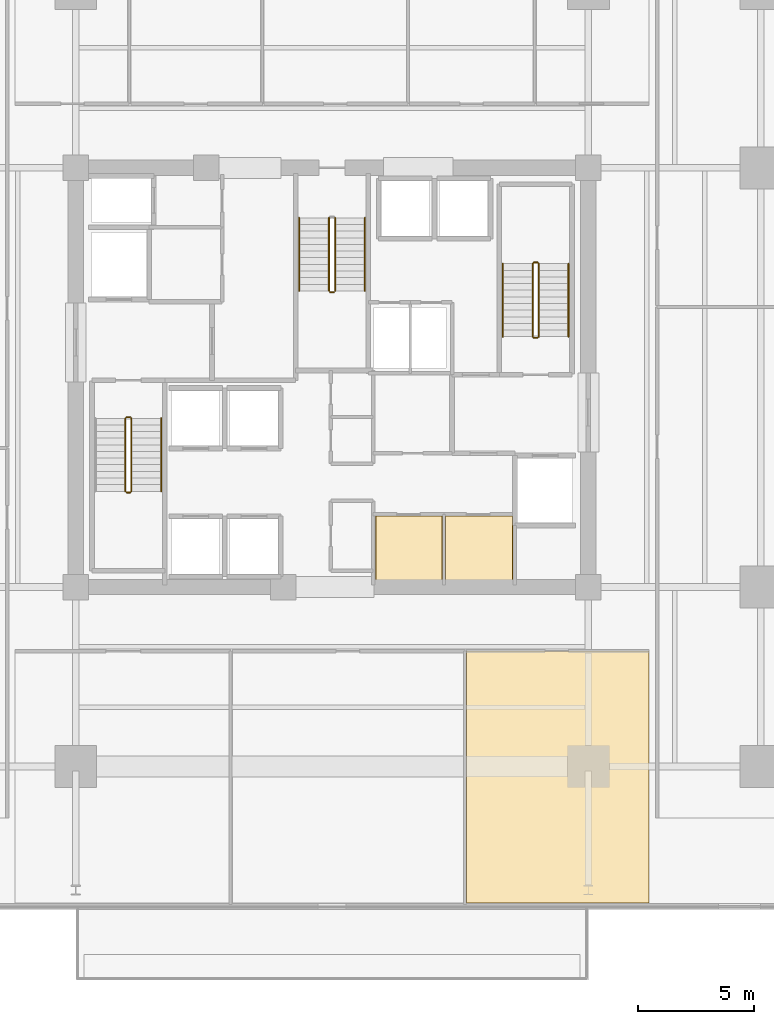
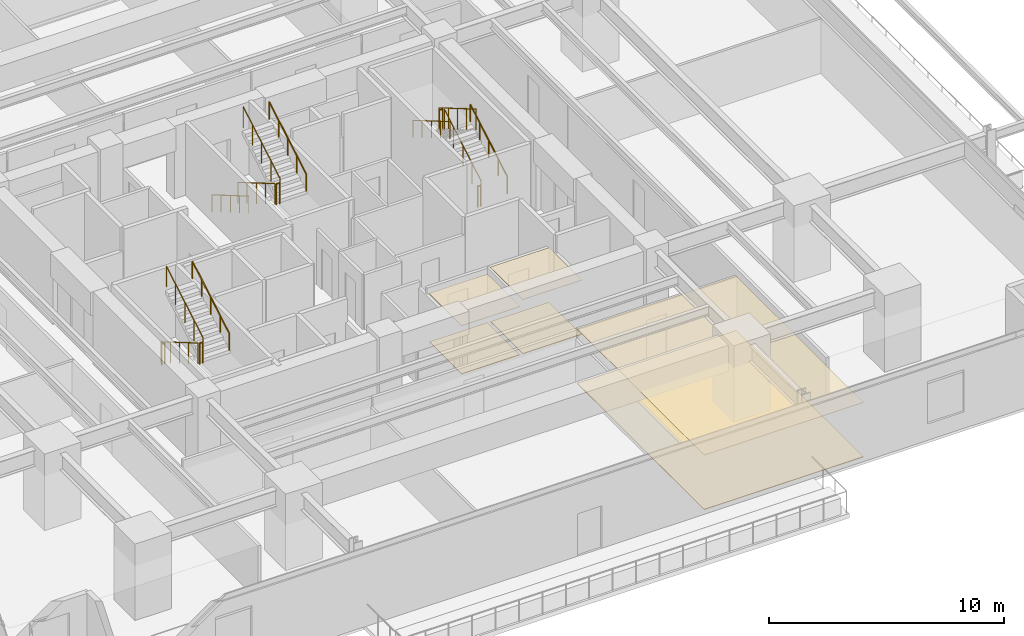
# One storey, part 21 of 24: 16 railings, 6 coverings.
"""IFC4 building model written with IfcOpenShell, lengths in metres."""

from ifc_helpers import new_model, si_unit, direction, frame, origin, origin_2d, place, context, subcontext, project, spatial, polyline, circle, outline, extrude, material, layer, layer_set, type_object, element, save


model = new_model("IFC4")

# Units and contexts
model_context = context("Model", 3, precision=1e-05, world=origin(), true_north=direction((0.0, 1.0)))
body_context = subcontext(model_context, "Body", "Model", "MODEL_VIEW")
ifc_project = project(units=[si_unit("LENGTHUNIT", "METRE"), si_unit("AREAUNIT", "SQUARE_METRE"), si_unit("VOLUMEUNIT", "CUBIC_METRE"), si_unit("PLANEANGLEUNIT", "RADIAN"), si_unit("MASSUNIT", "GRAM", prefix="KILO")], contexts=[model_context])

# Site, building, storey
site_placement = place(None, origin())
site = spatial("IfcSite", under=ifc_project, at=site_placement, CompositionType="ELEMENT")
building_placement = place(site_placement, origin())
building = spatial("IfcBuilding", under=site, at=building_placement, Name="Kovane Verandah Tower", CompositionType="ELEMENT")
storey_placement = place(building_placement, frame((0.0, 0.0, 95.60009765625)))
storey = spatial("IfcBuildingStorey", under=building, at=storey_placement, Name="L22", CompositionType="ELEMENT", Elevation=95.60009765625)

# Coverings
ifc_material_1 = material(Name="Perforated Acoustic Mineral-Fibre Ceiling Tile", Category="gypsum")
ifc_layer_1 = layer(ifc_material_1, 0.02490234375)
ifc_layer_set_1 = layer_set([ifc_layer_1], Name="Perforated Acoustic Mineral-Fibre Ceiling Tile")
covering_type_1 = type_object("IfcCoveringType", Name="CV-CEIL-25", PredefinedType="CEILING", material=ifc_layer_set_1)
covering_1_placement = place(storey_placement, frame((0.0, 0.0, 2.514892578125)))
element("IfcCovering", 1, at=covering_1_placement, inside=storey, type_object=covering_type_1, Name="L22 AV Control Room Acoustic Ceiling", PredefinedType="CEILING", context=body_context, shape_type="SweptSolid", body=[
    extrude(outline(polyline([(41.864990234375, 18.784912109375), (44.735107421875, 18.784912109375), (44.735107421875, 21.56494140625), (41.864990234375, 21.56494140625), (41.864990234375, 18.784912109375)])), origin(), (0.0, 0.0, 1.0), 0.02490234375),
])
covering_2_placement = place(storey_placement, frame((0.0, 0.0, 2.824951171875)))
element("IfcCovering", 2, at=covering_2_placement, inside=storey, type_object=covering_type_1, Name="L22 East IT Server Room Acoustic Ceiling", PredefinedType="CEILING", context=body_context, shape_type="SweptSolid", body=[
    extrude(outline(polyline([(44.864990234375, 18.784912109375), (47.764892578125, 18.784912109375), (47.764892578125, 21.56494140625), (44.864990234375, 21.56494140625), (44.864990234375, 18.784912109375)])), origin(), (0.0, 0.0, 1.0), 0.02490234375),
])
covering_3_placement = place(storey_placement, frame((0.0, 0.0, 2.824951171875)))
element("IfcCovering", 3, at=covering_3_placement, inside=storey, type_object=covering_type_1, Name="L22 Focus Studio S3 Acoustic Ceiling", PredefinedType="CEILING", context=body_context, shape_type="SweptSolid", body=[
    extrude(outline(polyline([(45.781982421875, 4.939208984375), (53.60009765625, 4.939208984375), (53.60009765625, 15.75), (45.781982421875, 15.75), (45.781982421875, 4.939208984375)])), origin(), (0.0, 0.0, 1.0), 0.02490234375),
])
ifc_material_2 = material(Name="Polished Terrazzo and Raised-Access Carpet Tile Finish", Category="concrete")
ifc_layer_2 = layer(ifc_material_2, 0.030029296875)
ifc_layer_set_2 = layer_set([ifc_layer_2], Name="Polished Terrazzo and Raised-Access Carpet Tile Finish")
covering_type_2 = type_object("IfcCoveringType", Name="CV-FLOR-30", PredefinedType="FLOORING", material=ifc_layer_set_2)
covering_4_placement = place(storey_placement, origin())
element("IfcCovering", 4, at=covering_4_placement, inside=storey, type_object=covering_type_2, Name="L22 AV Control Room Floor Finish", PredefinedType="FLOORING", context=body_context, shape_type="SweptSolid", body=[
    extrude(outline(polyline([(41.8798828125, 18.800048828125), (44.719970703125, 18.800048828125), (44.719970703125, 21.550048828125), (41.8798828125, 21.550048828125), (41.8798828125, 18.800048828125)])), origin(), (0.0, 0.0, 1.0), 0.02978515625),
])
covering_5_placement = place(storey_placement, origin())
element("IfcCovering", 5, at=covering_5_placement, inside=storey, type_object=covering_type_2, Name="L22 East IT Server Room Floor Finish", PredefinedType="FLOORING", context=body_context, shape_type="SweptSolid", body=[
    extrude(outline(polyline([(44.8798828125, 18.800048828125), (47.75, 18.800048828125), (47.75, 21.550048828125), (44.8798828125, 21.550048828125), (44.8798828125, 18.800048828125)])), origin(), (0.0, 0.0, 1.0), 0.02978515625),
])
covering_6_placement = place(storey_placement, origin())
element("IfcCovering", 6, at=covering_6_placement, inside=storey, type_object=covering_type_2, Name="L22 Focus Studio S3 Floor Finish", PredefinedType="FLOORING", context=body_context, shape_type="SweptSolid", body=[
    extrude(outline(polyline([(45.781982421875, 4.939208984375), (53.60009765625, 4.939208984375), (53.60009765625, 15.75), (45.781982421875, 15.75), (45.781982421875, 4.939208984375)])), origin(), (0.0, 0.0, 1.0), 0.02978515625),
])

# Railings
ifc_material_3 = material(Name="Brushed Stainless Steel Handrail", Category="steel")
railing_type_1 = type_object("IfcRailingType", Name="RL-HAND-920", PredefinedType="HANDRAIL", material=ifc_material_3)
for number, where, name in (
    (7, (32.669921875, 22.614990234375, 2.16650390625), "L22 ST-01 stair handrail 2"),
    (8, (50.14990234375, 29.25, 0.16650390625), "L22 ST-02 stair handrail 1"),
):
    element("IfcRailing", number, at=place(storey_placement, frame(where)), inside=storey, type_object=railing_type_1, Name=name, PredefinedType="HANDRAIL", context=body_context, shape_type="SweptSolid", body=[
        extrude(circle(Radius=0.02392578125, at=origin_2d()), frame((0.0, 0.0, 0.8759765625), z_axis=(0.0, 0.863210265497, 0.504844567704), x_axis=(-1.0, 0.0, 0.0)), (0.0, 0.0, 1.0), 3.6318359375),
        extrude(circle(Radius=0.02099609375, at=origin_2d()), origin(), (0.0, 0.0, 1.0), 0.851806640625),
        extrude(circle(Radius=0.02099609375, at=origin_2d()), frame((0.0, 0.78369140625, 0.45849609375)), (0.0, 0.0, 1.0), 0.851806640625),
        extrude(circle(Radius=0.02099609375, at=origin_2d()), frame((0.0, 1.5673828125, 0.916748046875)), (0.0, 0.0, 1.0), 0.851806640625),
        extrude(circle(Radius=0.02099609375, at=origin_2d()), frame((0.0, 2.351318359375, 1.375)), (0.0, 0.0, 1.0), 0.851806640625),
        extrude(circle(Radius=0.02099609375, at=origin_2d()), frame((0.0, 3.135009765625, 1.83349609375)), (0.0, 0.0, 1.0), 0.851806640625),
    ])
for number, where, name in (
    (9, (47.330078125, 32.385009765625, 2.16650390625), "L22 ST-02 stair handrail 2"),
    (10, (38.590087890625, 34.35009765625, 0.16650390625), "L22 ST-03 stair handrail 1"),
):
    element("IfcRailing", number, at=place(storey_placement, frame(where)), inside=storey, type_object=railing_type_1, Name=name, PredefinedType="HANDRAIL", context=body_context, shape_type="SweptSolid", body=[
        extrude(circle(Radius=0.02392578125, at=origin_2d()), frame((0.0, 0.0, 0.8759765625), z_axis=(0.0, -0.863210265497, 0.504844567704), x_axis=(1.0, 0.0, 0.0)), (0.0, 0.0, 1.0), 3.6318359375),
        extrude(circle(Radius=0.02099609375, at=origin_2d()), origin(), (0.0, 0.0, 1.0), 0.851806640625),
        extrude(circle(Radius=0.02099609375, at=origin_2d()), frame((0.0, -0.78369140625, 0.45849609375)), (0.0, 0.0, 1.0), 0.851806640625),
        extrude(circle(Radius=0.02099609375, at=origin_2d()), frame((0.0, -1.5673828125, 0.916748046875)), (0.0, 0.0, 1.0), 0.851806640625),
        extrude(circle(Radius=0.02099609375, at=origin_2d()), frame((0.0, -2.351318359375, 1.375)), (0.0, 0.0, 1.0), 0.851806640625),
        extrude(circle(Radius=0.02099609375, at=origin_2d()), frame((0.0, -3.135009765625, 1.83349609375)), (0.0, 0.0, 1.0), 0.851806640625),
    ])
railing_1_placement = place(storey_placement, frame((41.409912109375, 31.215087890625, 2.16650390625)))
element("IfcRailing", 11, at=railing_1_placement, inside=storey, type_object=railing_type_1, Name="L22 ST-03 stair handrail 2", PredefinedType="HANDRAIL", context=body_context, shape_type="SweptSolid", body=[
    extrude(circle(Radius=0.02392578125, at=origin_2d()), frame((0.0, 0.0, 0.8759765625), z_axis=(0.0, 0.863210265497, 0.504844567704), x_axis=(-1.0, 0.0, 0.0)), (0.0, 0.0, 1.0), 3.6318359375),
    extrude(circle(Radius=0.02099609375, at=origin_2d()), origin(), (0.0, 0.0, 1.0), 0.851806640625),
    extrude(circle(Radius=0.02099609375, at=origin_2d()), frame((0.0, 0.78369140625, 0.45849609375)), (0.0, 0.0, 1.0), 0.851806640625),
    extrude(circle(Radius=0.02099609375, at=origin_2d()), frame((0.0, 1.5673828125, 0.916748046875)), (0.0, 0.0, 1.0), 0.851806640625),
    extrude(circle(Radius=0.02099609375, at=origin_2d()), frame((0.0, 2.351318359375, 1.375)), (0.0, 0.0, 1.0), 0.851806640625),
    extrude(circle(Radius=0.02099609375, at=origin_2d()), frame((0.0, 3.135009765625, 1.83349609375)), (0.0, 0.0, 1.0), 0.851806640625),
])
ifc_material_4 = material(Name="Painted Steel Stairwell Guardrail", Category="steel")
railing_type_2 = type_object("IfcRailingType", Name="RL-STGUARD-1120", PredefinedType="GUARDRAIL", material=ifc_material_4)
railing_2_placement = place(storey_placement, frame((31.1298828125, 25.75, 0.16650390625)))
element("IfcRailing", 12, at=railing_2_placement, inside=storey, type_object=railing_type_2, Name="L22 ST-01 stair guard 1", PredefinedType="GUARDRAIL", context=body_context, shape_type="SweptSolid", body=[
    extrude(circle(Radius=0.02392578125, at=origin_2d()), frame((0.0, 0.0, 1.076171875), z_axis=(0.0, -0.863210265497, 0.504844567704), x_axis=(1.0, 0.0, 0.0)), (0.0, 0.0, 1.0), 3.6318359375),
    extrude(circle(Radius=0.02099609375, at=origin_2d()), origin(), (0.0, 0.0, 1.0), 1.052001953125),
    extrude(circle(Radius=0.02099609375, at=origin_2d()), frame((0.0, -0.78369140625, 0.45849609375)), (0.0, 0.0, 1.0), 1.052001953125),
    extrude(circle(Radius=0.02099609375, at=origin_2d()), frame((0.0, -1.5673828125, 0.916748046875)), (0.0, 0.0, 1.0), 1.052001953125),
    extrude(circle(Radius=0.02099609375, at=origin_2d()), frame((0.0, -2.351318359375, 1.375)), (0.0, 0.0, 1.0), 1.052001953125),
    extrude(circle(Radius=0.02099609375, at=origin_2d()), frame((0.0, -3.135009765625, 1.83349609375)), (0.0, 0.0, 1.0), 1.052001953125),
])
railing_3_placement = place(storey_placement, frame((31.179931640625, 22.56494140625, 2.0)))
element("IfcRailing", 13, at=railing_3_placement, inside=storey, type_object=railing_type_2, Name="L22 ST-01 stair guard 2", PredefinedType="GUARDRAIL", context=body_context, shape_type="SweptSolid", body=[
    extrude(circle(Radius=0.02392578125, at=origin_2d()), frame((0.0, 0.0, 1.076171875), z_axis=(1.0, 0.0, 0.0), x_axis=(0.0, 1.0, 0.0)), (0.0, 0.0, 1.0), 0.16015625),
    extrude(circle(Radius=0.02099609375, at=origin_2d()), origin(), (0.0, 0.0, 1.0), 1.052001953125),
    extrude(circle(Radius=0.02099609375, at=origin_2d()), frame((0.16015625, 0.0, 0.0)), (0.0, 0.0, 1.0), 1.052001953125),
])
railing_4_placement = place(storey_placement, frame((31.389892578125, 22.614990234375, 2.16650390625)))
element("IfcRailing", 14, at=railing_4_placement, inside=storey, type_object=railing_type_2, Name="L22 ST-01 stair guard 3", PredefinedType="GUARDRAIL", context=body_context, shape_type="SweptSolid", body=[
    extrude(circle(Radius=0.02392578125, at=origin_2d()), frame((0.0, 0.0, 1.076171875), z_axis=(0.0, 0.863210265497, 0.504844567704), x_axis=(-1.0, 0.0, 0.0)), (0.0, 0.0, 1.0), 3.6318359375),
    extrude(circle(Radius=0.02099609375, at=origin_2d()), origin(), (0.0, 0.0, 1.0), 1.052001953125),
    extrude(circle(Radius=0.02099609375, at=origin_2d()), frame((0.0, 0.78369140625, 0.45849609375)), (0.0, 0.0, 1.0), 1.052001953125),
    extrude(circle(Radius=0.02099609375, at=origin_2d()), frame((0.0, 1.5673828125, 0.916748046875)), (0.0, 0.0, 1.0), 1.052001953125),
    extrude(circle(Radius=0.02099609375, at=origin_2d()), frame((0.0, 2.351318359375, 1.375)), (0.0, 0.0, 1.0), 1.052001953125),
    extrude(circle(Radius=0.02099609375, at=origin_2d()), frame((0.0, 3.135009765625, 1.83349609375)), (0.0, 0.0, 1.0), 1.052001953125),
])
railing_5_placement = place(storey_placement, frame((31.179931640625, 25.800048828125, 0.0)))
element("IfcRailing", 15, at=railing_5_placement, inside=storey, type_object=railing_type_2, Name="L22 ST-01 stair guard 4", PredefinedType="GUARDRAIL", context=body_context, shape_type="SweptSolid", body=[
    extrude(circle(Radius=0.02392578125, at=origin_2d()), frame((0.0, 0.0, 1.076171875), z_axis=(1.0, 0.0, 0.0), x_axis=(0.0, 1.0, 0.0)), (0.0, 0.0, 1.0), 0.16015625),
    extrude(circle(Radius=0.02099609375, at=origin_2d()), origin(), (0.0, 0.0, 1.0), 1.052001953125),
    extrude(circle(Radius=0.02099609375, at=origin_2d()), frame((0.16015625, 0.0, 0.0)), (0.0, 0.0, 1.0), 1.052001953125),
])
railing_6_placement = place(storey_placement, frame((48.8701171875, 29.25, 0.16650390625)))
element("IfcRailing", 16, at=railing_6_placement, inside=storey, type_object=railing_type_2, Name="L22 ST-02 stair guard 1", PredefinedType="GUARDRAIL", context=body_context, shape_type="SweptSolid", body=[
    extrude(circle(Radius=0.02392578125, at=origin_2d()), frame((0.0, 0.0, 1.076171875), z_axis=(0.0, 0.863210265497, 0.504844567704), x_axis=(-1.0, 0.0, 0.0)), (0.0, 0.0, 1.0), 3.6318359375),
    extrude(circle(Radius=0.02099609375, at=origin_2d()), origin(), (0.0, 0.0, 1.0), 1.052001953125),
    extrude(circle(Radius=0.02099609375, at=origin_2d()), frame((0.0, 0.78369140625, 0.45849609375)), (0.0, 0.0, 1.0), 1.052001953125),
    extrude(circle(Radius=0.02099609375, at=origin_2d()), frame((0.0, 1.5673828125, 0.916748046875)), (0.0, 0.0, 1.0), 1.052001953125),
    extrude(circle(Radius=0.02099609375, at=origin_2d()), frame((0.0, 2.351318359375, 1.375)), (0.0, 0.0, 1.0), 1.052001953125),
    extrude(circle(Radius=0.02099609375, at=origin_2d()), frame((0.0, 3.135009765625, 1.83349609375)), (0.0, 0.0, 1.0), 1.052001953125),
])
railing_7_placement = place(storey_placement, frame((48.820068359375, 32.43505859375, 2.0)))
element("IfcRailing", 17, at=railing_7_placement, inside=storey, type_object=railing_type_2, Name="L22 ST-02 stair guard 2", PredefinedType="GUARDRAIL", context=body_context, shape_type="SweptSolid", body=[
    extrude(circle(Radius=0.02392578125, at=origin_2d()), frame((0.0, 0.0, 1.076171875), z_axis=(-1.0, 0.0, 0.0), x_axis=(0.0, -1.0, 0.0)), (0.0, 0.0, 1.0), 0.16015625),
    extrude(circle(Radius=0.02099609375, at=origin_2d()), origin(), (0.0, 0.0, 1.0), 1.052001953125),
    extrude(circle(Radius=0.02099609375, at=origin_2d()), frame((-0.16015625, 0.0, 0.0)), (0.0, 0.0, 1.0), 1.052001953125),
])
railing_8_placement = place(storey_placement, frame((48.610107421875, 32.385009765625, 2.16650390625)))
element("IfcRailing", 18, at=railing_8_placement, inside=storey, type_object=railing_type_2, Name="L22 ST-02 stair guard 3", PredefinedType="GUARDRAIL", context=body_context, shape_type="SweptSolid", body=[
    extrude(circle(Radius=0.02392578125, at=origin_2d()), frame((0.0, 0.0, 1.076171875), z_axis=(0.0, -0.863210265497, 0.504844567704), x_axis=(1.0, 0.0, 0.0)), (0.0, 0.0, 1.0), 3.6318359375),
    extrude(circle(Radius=0.02099609375, at=origin_2d()), origin(), (0.0, 0.0, 1.0), 1.052001953125),
    extrude(circle(Radius=0.02099609375, at=origin_2d()), frame((0.0, -0.78369140625, 0.45849609375)), (0.0, 0.0, 1.0), 1.052001953125),
    extrude(circle(Radius=0.02099609375, at=origin_2d()), frame((0.0, -1.5673828125, 0.916748046875)), (0.0, 0.0, 1.0), 1.052001953125),
    extrude(circle(Radius=0.02099609375, at=origin_2d()), frame((0.0, -2.351318359375, 1.375)), (0.0, 0.0, 1.0), 1.052001953125),
    extrude(circle(Radius=0.02099609375, at=origin_2d()), frame((0.0, -3.135009765625, 1.83349609375)), (0.0, 0.0, 1.0), 1.052001953125),
])
railing_9_placement = place(storey_placement, frame((48.820068359375, 29.199951171875, 0.0)))
element("IfcRailing", 19, at=railing_9_placement, inside=storey, type_object=railing_type_2, Name="L22 ST-02 stair guard 4", PredefinedType="GUARDRAIL", context=body_context, shape_type="SweptSolid", body=[
    extrude(circle(Radius=0.02392578125, at=origin_2d()), frame((0.0, 0.0, 1.076171875), z_axis=(-1.0, 0.0, 0.0), x_axis=(0.0, -1.0, 0.0)), (0.0, 0.0, 1.0), 0.16015625),
    extrude(circle(Radius=0.02099609375, at=origin_2d()), origin(), (0.0, 0.0, 1.0), 1.052001953125),
    extrude(circle(Radius=0.02099609375, at=origin_2d()), frame((-0.16015625, 0.0, 0.0)), (0.0, 0.0, 1.0), 1.052001953125),
])
railing_10_placement = place(storey_placement, frame((39.8701171875, 34.35009765625, 0.16650390625)))
element("IfcRailing", 20, at=railing_10_placement, inside=storey, type_object=railing_type_2, Name="L22 ST-03 stair guard 1", PredefinedType="GUARDRAIL", context=body_context, shape_type="SweptSolid", body=[
    extrude(circle(Radius=0.02392578125, at=origin_2d()), frame((0.0, 0.0, 1.076171875), z_axis=(0.0, -0.863210265497, 0.504844567704), x_axis=(1.0, 0.0, 0.0)), (0.0, 0.0, 1.0), 3.6318359375),
    extrude(circle(Radius=0.02099609375, at=origin_2d()), origin(), (0.0, 0.0, 1.0), 1.052001953125),
    extrude(circle(Radius=0.02099609375, at=origin_2d()), frame((0.0, -0.78369140625, 0.45849609375)), (0.0, 0.0, 1.0), 1.052001953125),
    extrude(circle(Radius=0.02099609375, at=origin_2d()), frame((0.0, -1.5673828125, 0.916748046875)), (0.0, 0.0, 1.0), 1.052001953125),
    extrude(circle(Radius=0.02099609375, at=origin_2d()), frame((0.0, -2.351318359375, 1.375)), (0.0, 0.0, 1.0), 1.052001953125),
    extrude(circle(Radius=0.02099609375, at=origin_2d()), frame((0.0, -3.135009765625, 1.83349609375)), (0.0, 0.0, 1.0), 1.052001953125),
])
railing_11_placement = place(storey_placement, frame((39.919921875, 31.1650390625, 2.0)))
element("IfcRailing", 21, at=railing_11_placement, inside=storey, type_object=railing_type_2, Name="L22 ST-03 stair guard 2", PredefinedType="GUARDRAIL", context=body_context, shape_type="SweptSolid", body=[
    extrude(circle(Radius=0.02392578125, at=origin_2d()), frame((0.0, 0.0, 1.076171875), z_axis=(1.0, 0.0, 0.0), x_axis=(0.0, 1.0, 0.0)), (0.0, 0.0, 1.0), 0.16015625),
    extrude(circle(Radius=0.02099609375, at=origin_2d()), origin(), (0.0, 0.0, 1.0), 1.052001953125),
    extrude(circle(Radius=0.02099609375, at=origin_2d()), frame((0.16015625, 0.0, 0.0)), (0.0, 0.0, 1.0), 1.052001953125),
])
railing_12_placement = place(storey_placement, frame((40.1298828125, 31.215087890625, 2.16650390625)))
element("IfcRailing", 22, at=railing_12_placement, inside=storey, type_object=railing_type_2, Name="L22 ST-03 stair guard 3", PredefinedType="GUARDRAIL", context=body_context, shape_type="SweptSolid", body=[
    extrude(circle(Radius=0.02392578125, at=origin_2d()), frame((0.0, 0.0, 1.076171875), z_axis=(0.0, 0.863210265497, 0.504844567704), x_axis=(-1.0, 0.0, 0.0)), (0.0, 0.0, 1.0), 3.6318359375),
    extrude(circle(Radius=0.02099609375, at=origin_2d()), origin(), (0.0, 0.0, 1.0), 1.052001953125),
    extrude(circle(Radius=0.02099609375, at=origin_2d()), frame((0.0, 0.78369140625, 0.45849609375)), (0.0, 0.0, 1.0), 1.052001953125),
    extrude(circle(Radius=0.02099609375, at=origin_2d()), frame((0.0, 1.5673828125, 0.916748046875)), (0.0, 0.0, 1.0), 1.052001953125),
    extrude(circle(Radius=0.02099609375, at=origin_2d()), frame((0.0, 2.351318359375, 1.375)), (0.0, 0.0, 1.0), 1.052001953125),
    extrude(circle(Radius=0.02099609375, at=origin_2d()), frame((0.0, 3.135009765625, 1.83349609375)), (0.0, 0.0, 1.0), 1.052001953125),
])

save(model, "model.ifc")
